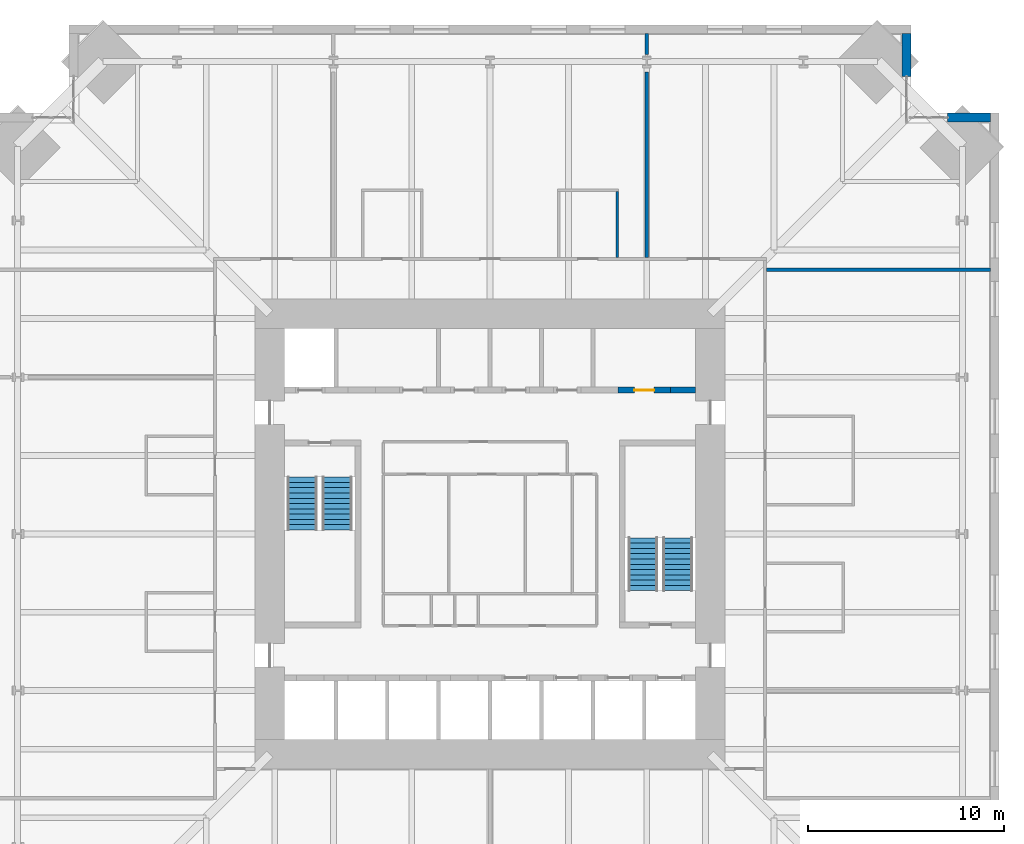
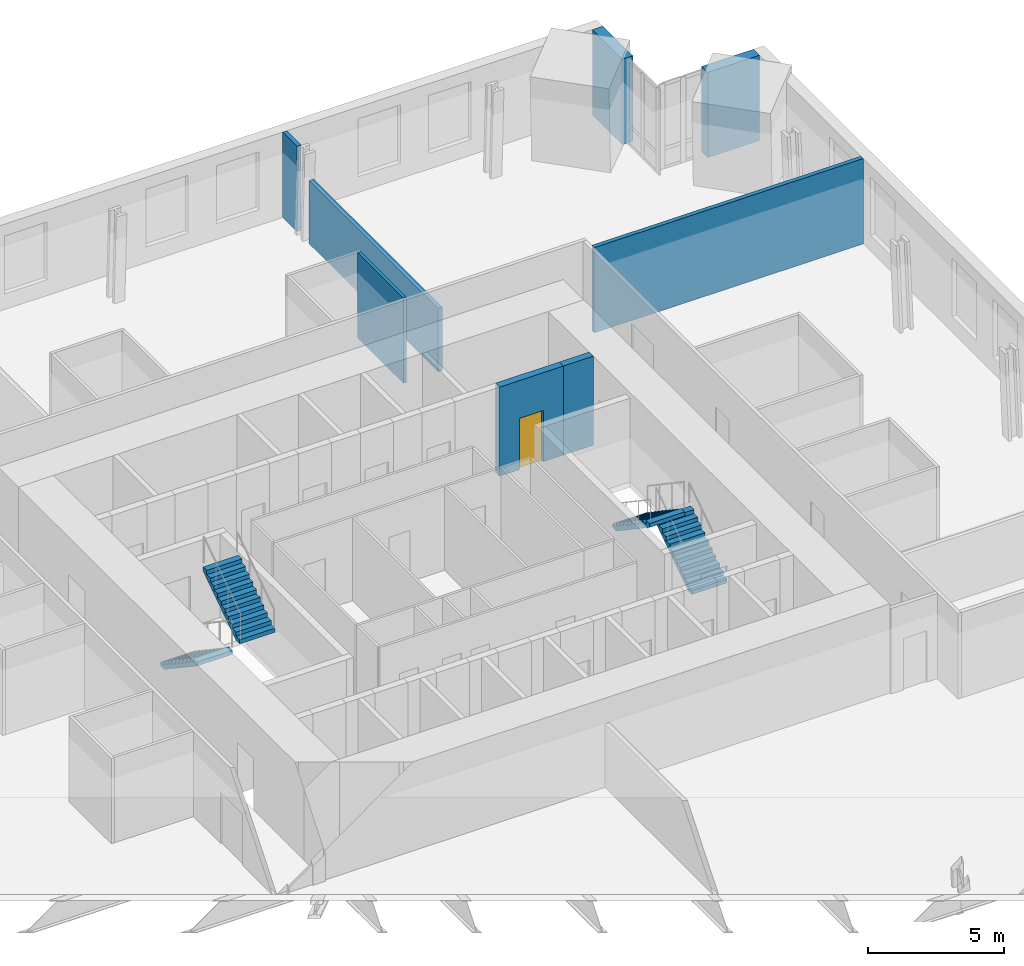
# One storey, part 17 of 18: 8 walls, 4 stair flights, 1 door, 1 opening, 2 elements without a shape of their own.
"""IFC4 building model written with IfcOpenShell, lengths in metres."""

from ifc_helpers import new_model, si_unit, direction, frame, frame_2d, origin, place, context, subcontext, project, spatial, polyline, rectangle, outline, extrude, material, layer, layer_set, type_object, element, fill, aggregate, save


model = new_model("IFC4")

# Units and contexts
model_context = context("Model", 3, precision=1e-05, world=origin(), true_north=direction((0.0, 1.0)))
body_context = subcontext(model_context, "Body", "Model", "MODEL_VIEW")
ifc_project = project(units=[si_unit("LENGTHUNIT", "METRE"), si_unit("AREAUNIT", "SQUARE_METRE"), si_unit("VOLUMEUNIT", "CUBIC_METRE"), si_unit("PLANEANGLEUNIT", "RADIAN"), si_unit("MASSUNIT", "GRAM", prefix="KILO")], contexts=[model_context])

# Site, building, storey
site_placement = place(None, origin())
site = spatial("IfcSite", under=ifc_project, at=site_placement, CompositionType="ELEMENT")
building_placement = place(site_placement, origin())
building = spatial("IfcBuilding", under=site, at=building_placement, Name="Peilmerk Tower", CompositionType="ELEMENT")
storey_placement = place(building_placement, frame((0.0, 0.0, 167.800048828125)))
storey = spatial("IfcBuildingStorey", under=building, at=storey_placement, Name="L35", CompositionType="ELEMENT", Elevation=167.800048828125)

# Walls
ifc_material_1 = material(Name="Precast concrete C45/55, board-marked finish", Category="concrete")
ifc_layer_1 = layer(ifc_material_1, 0.449951171875)
ifc_layer_set_1 = layer_set([ifc_layer_1], Name="Precast concrete C45/55, board-marked finish")
wall_type_1 = type_object("IfcWallType", Name="EW1 450 precast concrete facade wall, board-marked", PredefinedType="SOLIDWALL", material=ifc_layer_set_1)
for number, where, z_axis, x_axis, name in (
    (1, (21.27490234375, 23.353759765625, 0.0), (0.0, 0.0, 1.0), (0.0, 1.0, 0.0), "Facade wall NEA L35"),
    (2, (23.353759765625, 21.27490234375, 0.0), (0.0, 0.0, 1.0), (1.0, 0.0, 0.0), "Facade wall NEB L35"),
):
    element("IfcWall", number, at=place(storey_placement, frame(where, z_axis=z_axis, x_axis=x_axis)), inside=storey, type_object=wall_type_1, Name=name, PredefinedType="SOLIDWALL", context=body_context, shape_type="SweptSolid", body=[
        extrude(rectangle(XDim=2.1962890625, YDim=0.449951171875, at=frame_2d((1.09814453125, 0.0))), origin(), (0.0, 0.0, 1.0), 3.829833984375),
    ])
ifc_material_2 = material(Name="Plasterboard on steel studs, double boarded with mineral wool", Category="steel")
ifc_layer_2 = layer(ifc_material_2, 0.125)
ifc_layer_set_2 = layer_set([ifc_layer_2], Name="Plasterboard on steel studs, double boarded with mineral wool")
wall_type_2 = type_object("IfcWallType", Name="IW7 125 acoustic partition, EI 30", PredefinedType="PARTITIONING", material=ifc_layer_set_2)
wall_1_placement = place(storey_placement, frame((6.5, 14.125, 0.0), z_axis=(0.0, 0.0, 1.0), x_axis=(0.0, 1.0, 0.0)))
element("IfcWall", 3, at=wall_1_placement, inside=storey, type_object=wall_type_2, Name="Acoustic partition Focus room L35", PredefinedType="PARTITIONING", context=body_context, shape_type="SweptSolid", body=[
    extrude(rectangle(XDim=3.362548828125, YDim=0.125, at=frame_2d((1.68115234375, 0.0))), origin(), (0.0, 0.0, 1.0), 3.829833984375),
])
ifc_material_3 = material(Name="Calcium silicate block", Category="masonry")
ifc_layer_3 = layer(ifc_material_3, 0.175048828125)
ifc_layer_set_3 = layer_set([ifc_layer_3], Name="Calcium silicate block")
wall_type_3 = type_object("IfcWallType", Name="IW8 175 tenant separating wall, EI 60", PredefinedType="PARTITIONING", material=ifc_layer_set_3)
wall_2_placement = place(storey_placement, frame((14.125, 13.5, 0.0), z_axis=(0.0, 0.0, 1.0), x_axis=(1.0, 0.0, 0.0)))
element("IfcWall", 4, at=wall_2_placement, inside=storey, type_object=wall_type_3, Name="Tenant separating wall NE L35", PredefinedType="PARTITIONING", context=body_context, shape_type="SweptSolid", body=[
    extrude(rectangle(XDim=11.425048828125, YDim=0.175048828125, at=frame_2d((5.71240234375, 0.0))), origin(), (0.0, 0.0, 1.0), 3.829833984375),
])
wall_3_placement = place(storey_placement, frame((8.0, 14.125, 0.0), z_axis=(0.0, 0.0, 1.0), x_axis=(0.0, 1.0, 0.0)))
element("IfcWall", 5, at=wall_3_placement, inside=storey, type_object=wall_type_3, Name="Tenant separating wall N2 L35", PredefinedType="PARTITIONING", context=body_context, shape_type="SweptSolid", body=[
    extrude(rectangle(XDim=9.48046875, YDim=0.175048828125, at=frame_2d((4.740234375, 0.0))), origin(), (0.0, 0.0, 1.0), 2.83984375),
])
wall_4_placement = place(storey_placement, frame((8.0, 24.49462890625, 0.0), z_axis=(0.0, 0.0, 1.0), x_axis=(0.0, 1.0, 0.0)))
element("IfcWall", 6, at=wall_4_placement, inside=storey, type_object=wall_type_3, Name="Tenant separating wall N2b L35", PredefinedType="PARTITIONING", context=body_context, shape_type="SweptSolid", body=[
    extrude(rectangle(XDim=1.055419921875, YDim=0.175048828125, at=frame_2d((0.52783203125, 0.0))), origin(), (0.0, 0.0, 1.0), 3.829833984375),
])

# Wall, opening, door
ifc_layer_4 = layer(ifc_material_3, 0.300048828125)
ifc_layer_set_4 = layer_set([ifc_layer_4], Name="Calcium silicate block")
wall_type_4 = type_object("IfcWallType", Name="SH2 300 lift landing door panel, EI 120", PredefinedType="PARTITIONING", material=ifc_layer_set_4)
wall_5_placement = place(storey_placement, frame((6.52490234375, 7.35009765625, 0.0), z_axis=(0.0, 0.0, 1.0), x_axis=(1.0, 0.0, 0.0)))
wall_5 = element("IfcWall", 7, at=wall_5_placement, inside=storey, type_object=wall_type_4, Name="Lift door panel N GL1 L35", PredefinedType="PARTITIONING", context=body_context, shape_type="SweptSolid", body=[
    extrude(rectangle(XDim=2.7001953125, YDim=0.300048828125, at=frame_2d((1.35009765625, 0.0))), origin(), (0.0, 0.0, 1.0), 4.0),
])
opening_placement = place(wall_5_placement, frame((0.85009765625, 0.0, 0.0)))
opening = element("IfcOpeningElement", 8, at=opening_placement, cuts=wall_5, Name="Opening D10", PredefinedType="OPENING", context=body_context, shape_type="SweptSolid", body=[
    extrude(rectangle(XDim=1.0, YDim=2.300048828125, at=frame_2d((0.5, 1.14990234375))), frame((0.0, 0.159912109375, 0.0), z_axis=(0.0, -1.0, 0.0), x_axis=(1.0, 0.0, 0.0)), (0.0, 0.0, 1.0), 0.320068359375),
])
ifc_material_4 = material(Name="Steel door in steel frame", Category="steel")
door_type = type_object("IfcDoorType", Name="D10 1000x2300 core room door, EI2 60", OperationType="SINGLE_SWING_RIGHT", PredefinedType="DOOR", material=ifc_material_4)
door_placement = place(opening_placement, origin())
door = element("IfcDoor", 9, at=door_placement, inside=storey, type_object=door_type, Name="Door IT room L35", OperationType="SINGLE_SWING_RIGHT", OverallHeight=2.300048828125, OverallWidth=1.0, PredefinedType="DOOR", context=body_context, shape_type="SweptSolid", body=[
    extrude(rectangle(XDim=1.0, YDim=2.300048828125, at=frame_2d((0.5, 1.14990234375))), frame((0.0, 0.02490234375, 0.0), z_axis=(0.0, -1.0, 0.0), x_axis=(1.0, 0.0, 0.0)), (0.0, 0.0, 1.0), 0.050048828125),
])
fill(opening, door)

# Wall
ifc_material_5 = material(Name="Concrete C55/67", Category="concrete")
ifc_layer_5 = layer(ifc_material_5, 0.300048828125)
ifc_layer_set_5 = layer_set([ifc_layer_5], Name="Concrete C55/67")
wall_type_5 = type_object("IfcWallType", Name="SW2 300 lift bank pier", PredefinedType="SHEAR", material=ifc_layer_set_5)
wall_6_placement = place(storey_placement, frame((9.22509765625, 7.35009765625, 0.0), z_axis=(0.0, 0.0, 1.0), x_axis=(1.0, 0.0, 0.0)))
element("IfcWall", 10, at=wall_6_placement, inside=storey, type_object=wall_type_5, Name="Lift bank pier N L35", PredefinedType="SHEAR", context=body_context, shape_type="SweptSolid", body=[
    extrude(rectangle(XDim=1.27490234375, YDim=0.300048828125, at=frame_2d((0.637451171875, 0.0))), origin(), (0.0, 0.0, 1.0), 4.0),
])

# Stair, stair flights
ifc_material_6 = material(Name="Precast concrete C45/55", Category="concrete")
stair_type_1 = type_object("IfcStairType", Name="ST1 22 risers of 181.8", PredefinedType="HALF_TURN_STAIR", material=ifc_material_6)
stair_1_placement = place(storey_placement, origin())
stair_1 = element("IfcStair", 11, at=stair_1_placement, inside=storey, type_object=stair_type_1, Name="Stair 1 L35 to L36", PredefinedType="HALF_TURN_STAIR")
stair_flight_type = type_object("IfcStairFlightType", Name="SF11 flight, 11 risers of 181.8", PredefinedType="STRAIGHT", material=ifc_material_6)
stair_flight_1_placement = place(storey_placement, frame((-9.60009765625, 2.89990234375, 0.0), z_axis=(0.0, 0.0, 1.0), x_axis=(0.0, -1.0, 0.0)))
stair_flight_1 = element("IfcStairFlight", 12, at=stair_flight_1_placement, type_object=stair_flight_type, Name="ST1 flight 1", NumberOfRisers=11, NumberOfTreads=10, PredefinedType="STRAIGHT", RiserHeight=0.181818182, TreadLength=0.27, context=body_context, shape_type="SweptSolid", body=[
    extrude(outline(polyline([(0.0, 0.0), (0.0, 0.181884765625), (0.27001953125, 0.181884765625), (0.27001953125, 0.363525390625), (0.5400390625, 0.363525390625), (0.5400390625, 0.54541015625), (0.81005859375, 0.54541015625), (0.81005859375, 0.727294921875), (1.080078125, 0.727294921875), (1.080078125, 0.9091796875), (1.35009765625, 0.9091796875), (1.35009765625, 1.0908203125), (1.6201171875, 1.0908203125), (1.6201171875, 1.272705078125), (1.889892578125, 1.272705078125), (1.889892578125, 1.45458984375), (2.159912109375, 1.45458984375), (2.159912109375, 1.636474609375), (2.429931640625, 1.636474609375), (2.429931640625, 1.818115234375), (2.699951171875, 1.818115234375), (2.699951171875, 2.0), (2.699951171875, 1.637451171875), (0.268310546875, 0.0), (0.0, 0.0)])), frame((0.0, 0.75, 0.0), z_axis=(0.0, -1.0, 0.0), x_axis=(1.0, 0.0, 0.0)), (0.0, 0.0, 1.0), 1.5),
])
stair_flight_2_placement = place(storey_placement, frame((-7.800048828125, 0.199951171875, 2.0), z_axis=(0.0, 0.0, 1.0), x_axis=(0.0, 1.0, 0.0)))
stair_flight_2 = element("IfcStairFlight", 13, at=stair_flight_2_placement, type_object=stair_flight_type, Name="ST1 flight 2", NumberOfRisers=11, NumberOfTreads=10, PredefinedType="STRAIGHT", RiserHeight=0.181818182, TreadLength=0.27, context=body_context, shape_type="SweptSolid", body=[
    extrude(outline(polyline([(0.0, 0.0), (0.0, 0.181884765625), (0.27001953125, 0.181884765625), (0.27001953125, 0.363525390625), (0.5400390625, 0.363525390625), (0.5400390625, 0.54541015625), (0.81005859375, 0.54541015625), (0.81005859375, 0.727294921875), (1.080078125, 0.727294921875), (1.080078125, 0.9091796875), (1.35009765625, 0.9091796875), (1.35009765625, 1.0908203125), (1.6201171875, 1.0908203125), (1.6201171875, 1.272705078125), (1.889892578125, 1.272705078125), (1.889892578125, 1.45458984375), (2.159912109375, 1.45458984375), (2.159912109375, 1.636474609375), (2.429931640625, 1.636474609375), (2.429931640625, 1.818115234375), (2.699951171875, 1.818115234375), (2.699951171875, 2.0), (2.699951171875, 1.637451171875), (0.268310546875, 0.0), (0.0, 0.0)])), frame((0.0, 0.75, 0.0), z_axis=(0.0, -1.0, 0.0), x_axis=(1.0, 0.0, 0.0)), (0.0, 0.0, 1.0), 1.5),
])
aggregate(stair_1, [stair_flight_1, stair_flight_2])

stair_type_2 = type_object("IfcStairType", Name="ST2 22 risers of 181.8", PredefinedType="HALF_TURN_STAIR", material=ifc_material_6)
stair_2_placement = place(storey_placement, origin())
stair_2 = element("IfcStair", 14, at=stair_2_placement, inside=storey, type_object=stair_type_2, Name="Stair 2 L35 to L36", PredefinedType="HALF_TURN_STAIR")
stair_flight_3_placement = place(storey_placement, frame((9.60009765625, -2.89990234375, 0.0), z_axis=(0.0, 0.0, 1.0), x_axis=(0.0, 1.0, 0.0)))
stair_flight_3 = element("IfcStairFlight", 15, at=stair_flight_3_placement, type_object=stair_flight_type, Name="ST2 flight 1", NumberOfRisers=11, NumberOfTreads=10, PredefinedType="STRAIGHT", RiserHeight=0.181818182, TreadLength=0.27, context=body_context, shape_type="SweptSolid", body=[
    extrude(outline(polyline([(0.0, 0.0), (0.0, 0.181884765625), (0.27001953125, 0.181884765625), (0.27001953125, 0.363525390625), (0.5400390625, 0.363525390625), (0.5400390625, 0.54541015625), (0.81005859375, 0.54541015625), (0.81005859375, 0.727294921875), (1.080078125, 0.727294921875), (1.080078125, 0.9091796875), (1.35009765625, 0.9091796875), (1.35009765625, 1.0908203125), (1.6201171875, 1.0908203125), (1.6201171875, 1.272705078125), (1.889892578125, 1.272705078125), (1.889892578125, 1.45458984375), (2.159912109375, 1.45458984375), (2.159912109375, 1.636474609375), (2.429931640625, 1.636474609375), (2.429931640625, 1.818115234375), (2.699951171875, 1.818115234375), (2.699951171875, 2.0), (2.699951171875, 1.637451171875), (0.268310546875, 0.0), (0.0, 0.0)])), frame((0.0, 0.75, 0.0), z_axis=(0.0, -1.0, 0.0), x_axis=(1.0, 0.0, 0.0)), (0.0, 0.0, 1.0), 1.5),
])
stair_flight_4_placement = place(storey_placement, frame((7.800048828125, -0.199951171875, 2.0), z_axis=(0.0, 0.0, 1.0), x_axis=(0.0, -1.0, 0.0)))
stair_flight_4 = element("IfcStairFlight", 16, at=stair_flight_4_placement, type_object=stair_flight_type, Name="ST2 flight 2", NumberOfRisers=11, NumberOfTreads=10, PredefinedType="STRAIGHT", RiserHeight=0.181818182, TreadLength=0.27, context=body_context, shape_type="SweptSolid", body=[
    extrude(outline(polyline([(0.0, 0.0), (0.0, 0.181884765625), (0.27001953125, 0.181884765625), (0.27001953125, 0.363525390625), (0.5400390625, 0.363525390625), (0.5400390625, 0.54541015625), (0.81005859375, 0.54541015625), (0.81005859375, 0.727294921875), (1.080078125, 0.727294921875), (1.080078125, 0.9091796875), (1.35009765625, 0.9091796875), (1.35009765625, 1.0908203125), (1.6201171875, 1.0908203125), (1.6201171875, 1.272705078125), (1.889892578125, 1.272705078125), (1.889892578125, 1.45458984375), (2.159912109375, 1.45458984375), (2.159912109375, 1.636474609375), (2.429931640625, 1.636474609375), (2.429931640625, 1.818115234375), (2.699951171875, 1.818115234375), (2.699951171875, 2.0), (2.699951171875, 1.637451171875), (0.268310546875, 0.0), (0.0, 0.0)])), frame((0.0, 0.75, 0.0), z_axis=(0.0, -1.0, 0.0), x_axis=(1.0, 0.0, 0.0)), (0.0, 0.0, 1.0), 1.5),
])
aggregate(stair_2, [stair_flight_3, stair_flight_4])

save(model, "model.ifc")
